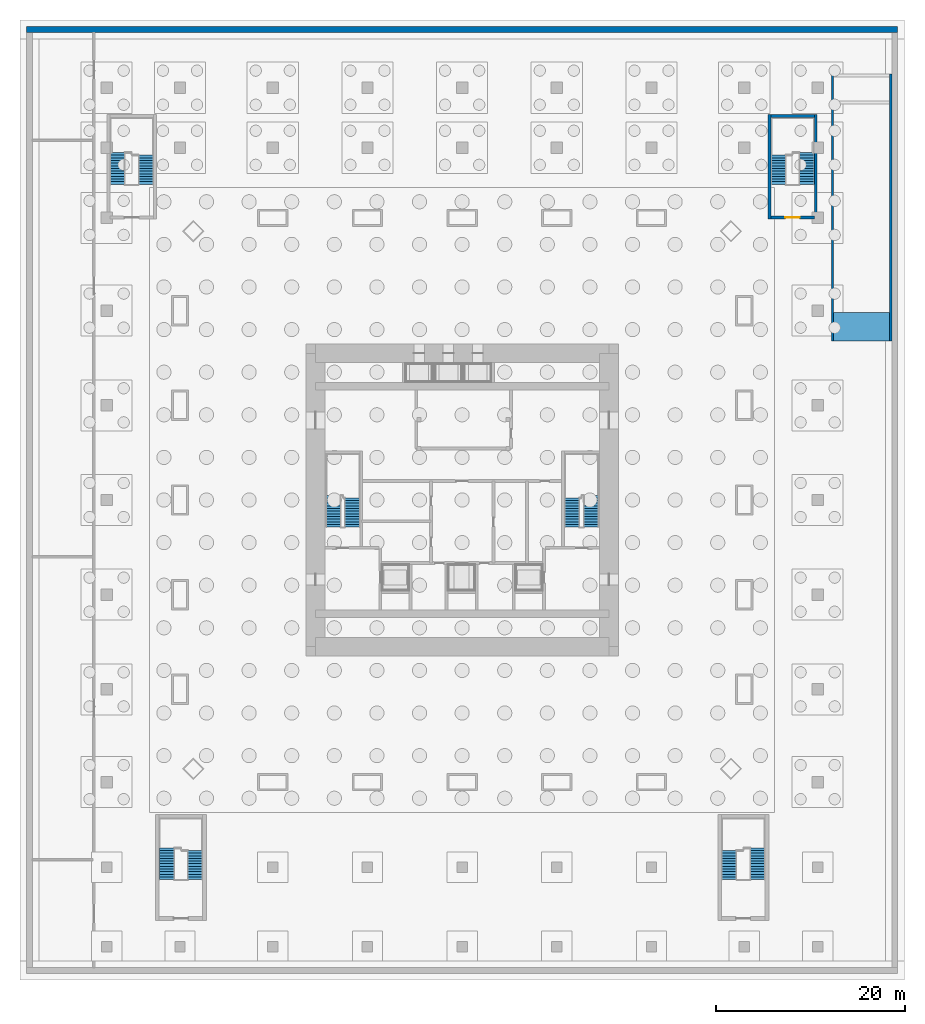
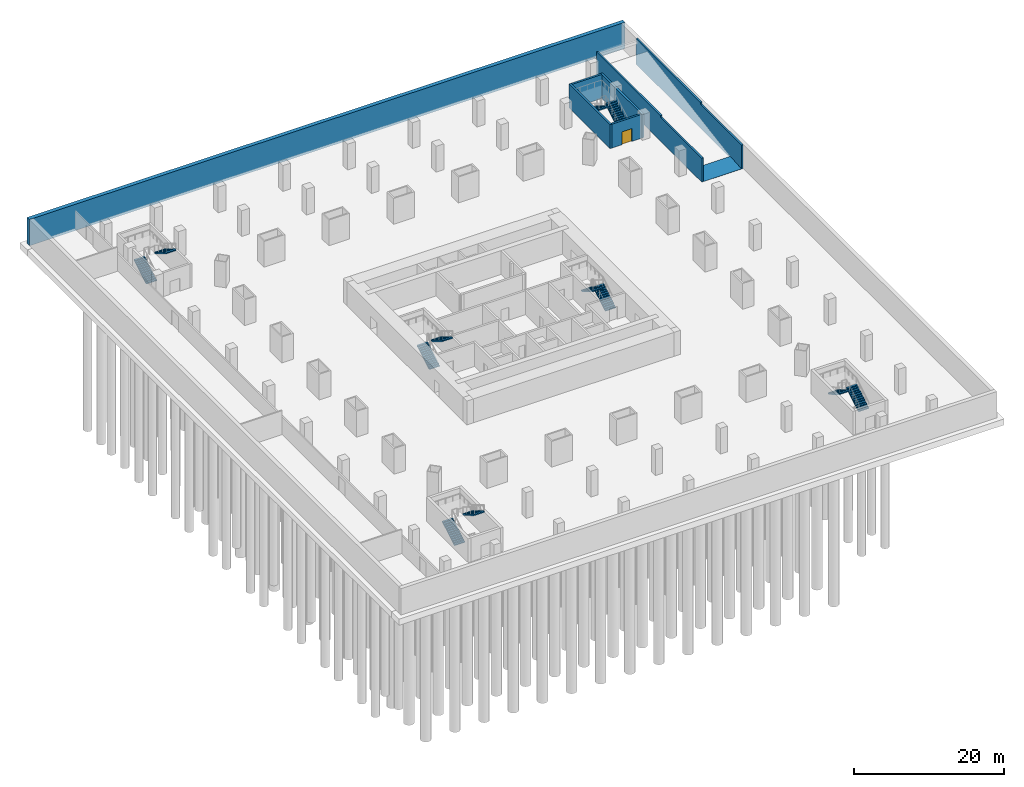
# One storey, part 8 of 11: 12 stair flights, 7 walls, 1 door, 1 ramp flight, 1 opening, 7 elements without a shape of their own.
"""IFC4 building model written with IfcOpenShell, lengths in metres."""

from ifc_helpers import new_model, si_unit, direction, frame, frame_2d, origin, place, context, subcontext, project, spatial, polyline, rectangle, outline, extrude, material, layer, layer_set, type_object, element, fill, aggregate, save


model = new_model("IFC4")

# Units and contexts
model_context = context("Model", 3, precision=1e-05, world=origin(), true_north=direction((0.0, 1.0)))
body_context = subcontext(model_context, "Body", "Model", "MODEL_VIEW")
ifc_project = project(units=[si_unit("LENGTHUNIT", "METRE"), si_unit("AREAUNIT", "SQUARE_METRE"), si_unit("VOLUMEUNIT", "CUBIC_METRE"), si_unit("PLANEANGLEUNIT", "RADIAN"), si_unit("MASSUNIT", "GRAM", prefix="KILO")], contexts=[model_context])

# Site, building, storey
site_placement = place(None, origin())
site = spatial("IfcSite", under=ifc_project, at=site_placement, CompositionType="ELEMENT")
building_placement = place(site_placement, origin())
building = spatial("IfcBuilding", under=site, at=building_placement, Name="Khuree Lantern Residences", CompositionType="ELEMENT")
storey_placement = place(building_placement, frame((0.0, 0.0, -13.199951171875)))
storey = spatial("IfcBuildingStorey", under=building, at=storey_placement, Name="B3", CompositionType="ELEMENT", Elevation=-13.199951171875)

# Walls
ifc_material_1 = material(Name="Concrete C40/50", Category="concrete")
ifc_layer_1 = layer(ifc_material_1, 0.25)
ifc_layer_set_1 = layer_set([ifc_layer_1], Name="RAMP WALL RA 250")
wall_type_1 = type_object("IfcWallType", Name="RAMP WALL RA 250", PredefinedType="SOLIDWALL", material=ifc_layer_set_1)
for number, where, z_axis, x_axis, name in (
    (1, (39.125, 16.800048828125, 0.0), (0.0, 0.0, 1.0), (0.0, 1.0, 0.0), "Car park ramp, B2 to B3 side wall"),
    (2, (45.27490234375, 16.800048828125, 0.0), (0.0, 0.0, 1.0), (0.0, 1.0, 0.0), "Car park ramp, B2 to B3 side wall"),
):
    element("IfcWall", number, at=place(storey_placement, frame(where, z_axis=z_axis, x_axis=x_axis)), inside=storey, type_object=wall_type_1, Name=name, PredefinedType="SOLIDWALL", context=body_context, shape_type="SweptSolid", body=[
        extrude(outline(polyline([(0.0, 0.0), (28.199951171875, 0.0), (28.199951171875, 4.199951171875), (11.0, 4.199951171875), (11.0, 3.89990234375), (0.0, 3.89990234375), (0.0, 0.0)])), frame((0.0, 0.125, 0.0), z_axis=(0.0, -1.0, 0.0), x_axis=(1.0, 0.0, 0.0)), (0.0, 0.0, 1.0), 0.25),
    ])
ifc_layer_2 = layer(ifc_material_1, 0.60009765625)
ifc_layer_set_2 = layer_set([ifc_layer_2], Name="RW1 BASEMENT RETAINING WALL 600")
wall_type_2 = type_object("IfcWallType", Name="RW1 BASEMENT RETAINING WALL 600", PredefinedType="SOLIDWALL", material=ifc_layer_set_2)
wall_1_placement = place(storey_placement, frame((-46.0, 49.699951171875, -0.400146484375), z_axis=(0.0, 0.0, 1.0), x_axis=(1.0, 0.0, 0.0)))
element("IfcWall", 3, at=wall_1_placement, inside=storey, type_object=wall_type_2, Name="Retaining wall N", PredefinedType="SOLIDWALL", context=body_context, shape_type="SweptSolid", body=[
    extrude(rectangle(XDim=92.0, YDim=0.60009765625, at=frame_2d((46.0, 0.0))), origin(), (0.0, 0.0, 1.0), 4.300048828125),
])
ifc_material_2 = material(Name="Concrete C50/60", Category="concrete")
ifc_layer_3 = layer(ifc_material_2, 0.300048828125)
ifc_layer_set_3 = layer_set([ifc_layer_3], Name="STAIR WALL SRW300 C50/60 REI 240")
wall_type_3 = type_object("IfcWallType", Name="STAIR WALL SRW300 C50/60 REI 240", PredefinedType="SOLIDWALL", material=ifc_layer_set_3)
wall_2_placement = place(storey_placement, frame((37.35009765625, 29.699951171875, 0.0), z_axis=(0.0, 0.0, 1.0), x_axis=(0.0, 1.0, 0.0)))
element("IfcWall", 4, at=wall_2_placement, inside=storey, type_object=wall_type_3, Name="B3 STAIR ST4 WALL O", PredefinedType="SOLIDWALL", context=body_context, shape_type="SweptSolid", body=[
    extrude(rectangle(XDim=11.0, YDim=0.300048828125, at=frame_2d((5.5, 0.0))), origin(), (0.0, 0.0, 1.0), 3.89990234375),
])

# Wall, opening, door
wall_3_placement = place(storey_placement, frame((37.199951171875, 29.85009765625, 0.0), z_axis=(0.0, 0.0, 1.0), x_axis=(-1.0, 0.0, 0.0)))
wall_3 = element("IfcWall", 5, at=wall_3_placement, inside=storey, type_object=wall_type_3, Name="B3 STAIR ST4 WALL S", PredefinedType="SOLIDWALL", context=body_context, shape_type="SweptSolid", body=[
    extrude(rectangle(XDim=4.599853515625, YDim=0.300048828125, at=frame_2d((2.2998046875, 0.0))), origin(), (0.0, 0.0, 1.0), 3.89990234375),
])
opening_placement = place(wall_3_placement, frame((1.550048828125, 0.0, 0.0)))
opening = element("IfcOpeningElement", 6, at=opening_placement, cuts=wall_3, Name="Opening B3-024", PredefinedType="OPENING", context=body_context, shape_type="SweptSolid", body=[
    extrude(rectangle(XDim=1.5, YDim=2.10009765625, at=frame_2d((0.75, 1.050048828125))), frame((0.0, 0.16015625, 0.0), z_axis=(0.0, -1.0, 0.0), x_axis=(1.0, 0.0, 0.0)), (0.0, 0.0, 1.0), 0.320068359375),
])
ifc_material_3 = material(Name="Steel door leaf in steel frame", Category="steel")
door_type = type_object("IfcDoorType", Name="STAIR DOOR 1500X2100 EI 120", OperationType="DOUBLE_DOOR_SINGLE_SWING", PredefinedType="DOOR", material=ifc_material_3)
door_placement = place(opening_placement, origin())
door = element("IfcDoor", 7, at=door_placement, inside=storey, type_object=door_type, Name="Stair ST4 door B3-024", OperationType="DOUBLE_DOOR_SINGLE_SWING", OverallHeight=2.10009765625, OverallWidth=1.5, PredefinedType="DOOR", context=body_context, shape_type="SweptSolid", body=[
    extrude(rectangle(XDim=1.5, YDim=2.10009765625, at=frame_2d((0.75, 1.050048828125))), frame((0.0, 0.02490234375, 0.0), z_axis=(0.0, -1.0, 0.0), x_axis=(1.0, 0.0, 0.0)), (0.0, 0.0, 1.0), 0.050048828125),
])
fill(opening, door)

# Walls
wall_4_placement = place(storey_placement, frame((32.449951171875, 29.699951171875, 0.0), z_axis=(0.0, 0.0, 1.0), x_axis=(0.0, 1.0, 0.0)))
element("IfcWall", 8, at=wall_4_placement, inside=storey, type_object=wall_type_3, Name="B3 STAIR ST4 WALL I", PredefinedType="SOLIDWALL", context=body_context, shape_type="SweptSolid", body=[
    extrude(rectangle(XDim=11.0, YDim=0.300048828125, at=frame_2d((5.5, 0.0))), origin(), (0.0, 0.0, 1.0), 3.89990234375),
])
wall_5_placement = place(storey_placement, frame((37.199951171875, 40.550048828125, 0.0), z_axis=(0.0, 0.0, 1.0), x_axis=(-1.0, 0.0, 0.0)))
element("IfcWall", 9, at=wall_5_placement, inside=storey, type_object=wall_type_3, Name="B3 STAIR ST4 WALL N", PredefinedType="SOLIDWALL", context=body_context, shape_type="SweptSolid", body=[
    extrude(rectangle(XDim=4.599853515625, YDim=0.300048828125, at=frame_2d((2.2998046875, 0.0))), origin(), (0.0, 0.0, 1.0), 3.89990234375),
])

# Stair, stair flights
stair_type_1 = type_object("IfcStairType", Name="STAIR ST1 HALF TURN 3600", PredefinedType="HALF_TURN_STAIR", material=ifc_material_1)
stair_1_placement = place(storey_placement, origin())
stair_1 = element("IfcStair", 10, at=stair_1_placement, inside=storey, type_object=stair_type_1, Name="Stair ST1", PredefinedType="HALF_TURN_STAIR")
stair_flight_type = type_object("IfcStairFlightType", Name="STAIR FLIGHT SF1 1600", PredefinedType="STRAIGHT", material=ifc_material_1)
stair_flight_1_placement = place(storey_placement, frame((-13.60009765625, -2.860107421875, 0.0), z_axis=(0.0, 0.0, 1.0), x_axis=(0.0, 1.0, 0.0)))
stair_flight_1 = element("IfcStairFlight", 11, at=stair_flight_1_placement, type_object=stair_flight_type, Name="ST1 flight 1", NumberOfRisers=13, NumberOfTreads=12, PredefinedType="STRAIGHT", RiserHeight=0.168, TreadLength=0.28, context=body_context, shape_type="SweptSolid", body=[
    extrude(outline(polyline([(0.0, 0.0), (0.0, 0.16796875), (0.280029296875, 0.16796875), (0.280029296875, 0.3359375), (0.56005859375, 0.3359375), (0.56005859375, 0.50390625), (0.840087890625, 0.50390625), (0.840087890625, 0.672119140625), (1.1201171875, 0.672119140625), (1.1201171875, 0.840087890625), (1.39990234375, 0.840087890625), (1.39990234375, 1.008056640625), (1.679931640625, 1.008056640625), (1.679931640625, 1.176025390625), (1.9599609375, 1.176025390625), (1.9599609375, 1.343994140625), (2.239990234375, 1.343994140625), (2.239990234375, 1.511962890625), (2.52001953125, 1.511962890625), (2.52001953125, 1.679931640625), (2.800048828125, 1.679931640625), (2.800048828125, 1.847900390625), (3.080078125, 1.847900390625), (3.080078125, 2.01611328125), (3.360107421875, 2.01611328125), (3.360107421875, 2.18408203125), (3.360107421875, 1.841064453125), (0.291259765625, 0.0), (0.0, 0.0)])), frame((0.0, 0.800048828125, 0.0), z_axis=(0.0, -1.0, 0.0), x_axis=(1.0, 0.0, 0.0)), (0.0, 0.0, 1.0), 1.60009765625),
])
stair_flight_2_placement = place(storey_placement, frame((-11.60009765625, 0.219970703125, 2.183837890625), z_axis=(0.0, 0.0, 1.0), x_axis=(0.0, -1.0, 0.0)))
stair_flight_2 = element("IfcStairFlight", 12, at=stair_flight_2_placement, type_object=stair_flight_type, Name="ST1 flight 2", NumberOfRisers=12, NumberOfTreads=11, PredefinedType="STRAIGHT", RiserHeight=0.168, TreadLength=0.28, context=body_context, shape_type="SweptSolid", body=[
    extrude(outline(polyline([(0.0, 0.0), (0.0, 0.16796875), (0.280029296875, 0.16796875), (0.280029296875, 0.3359375), (0.56005859375, 0.3359375), (0.56005859375, 0.50390625), (0.840087890625, 0.50390625), (0.840087890625, 0.672119140625), (1.1201171875, 0.672119140625), (1.1201171875, 0.840087890625), (1.39990234375, 0.840087890625), (1.39990234375, 1.008056640625), (1.679931640625, 1.008056640625), (1.679931640625, 1.176025390625), (1.9599609375, 1.176025390625), (1.9599609375, 1.343994140625), (2.239990234375, 1.343994140625), (2.239990234375, 1.511962890625), (2.52001953125, 1.511962890625), (2.52001953125, 1.679931640625), (2.800048828125, 1.679931640625), (2.800048828125, 1.847900390625), (3.080078125, 1.847900390625), (3.080078125, 2.01611328125), (3.080078125, 1.673095703125), (0.291259765625, 0.0), (0.0, 0.0)])), frame((0.0, 0.800048828125, 0.0), z_axis=(0.0, -1.0, 0.0), x_axis=(1.0, 0.0, 0.0)), (0.0, 0.0, 1.0), 1.60009765625),
])
aggregate(stair_1, [stair_flight_1, stair_flight_2])

stair_2_placement = place(storey_placement, origin())
stair_2 = element("IfcStair", 13, at=stair_2_placement, inside=storey, type_object=stair_type_1, Name="Stair ST2", PredefinedType="HALF_TURN_STAIR")
stair_flight_3_placement = place(storey_placement, frame((13.60009765625, -2.860107421875, 0.0), z_axis=(0.0, 0.0, 1.0), x_axis=(0.0, 1.0, 0.0)))
stair_flight_3 = element("IfcStairFlight", 14, at=stair_flight_3_placement, type_object=stair_flight_type, Name="ST2 flight 1", NumberOfRisers=13, NumberOfTreads=12, PredefinedType="STRAIGHT", RiserHeight=0.168, TreadLength=0.28, context=body_context, shape_type="SweptSolid", body=[
    extrude(outline(polyline([(0.0, 0.0), (0.0, 0.16796875), (0.280029296875, 0.16796875), (0.280029296875, 0.3359375), (0.56005859375, 0.3359375), (0.56005859375, 0.50390625), (0.840087890625, 0.50390625), (0.840087890625, 0.672119140625), (1.1201171875, 0.672119140625), (1.1201171875, 0.840087890625), (1.39990234375, 0.840087890625), (1.39990234375, 1.008056640625), (1.679931640625, 1.008056640625), (1.679931640625, 1.176025390625), (1.9599609375, 1.176025390625), (1.9599609375, 1.343994140625), (2.239990234375, 1.343994140625), (2.239990234375, 1.511962890625), (2.52001953125, 1.511962890625), (2.52001953125, 1.679931640625), (2.800048828125, 1.679931640625), (2.800048828125, 1.847900390625), (3.080078125, 1.847900390625), (3.080078125, 2.01611328125), (3.360107421875, 2.01611328125), (3.360107421875, 2.18408203125), (3.360107421875, 1.841064453125), (0.291259765625, 0.0), (0.0, 0.0)])), frame((0.0, 0.800048828125, 0.0), z_axis=(0.0, -1.0, 0.0), x_axis=(1.0, 0.0, 0.0)), (0.0, 0.0, 1.0), 1.60009765625),
])
stair_flight_4_placement = place(storey_placement, frame((11.60009765625, 0.219970703125, 2.183837890625), z_axis=(0.0, 0.0, 1.0), x_axis=(0.0, -1.0, 0.0)))
stair_flight_4 = element("IfcStairFlight", 15, at=stair_flight_4_placement, type_object=stair_flight_type, Name="ST2 flight 2", NumberOfRisers=12, NumberOfTreads=11, PredefinedType="STRAIGHT", RiserHeight=0.168, TreadLength=0.28, context=body_context, shape_type="SweptSolid", body=[
    extrude(outline(polyline([(0.0, 0.0), (0.0, 0.16796875), (0.280029296875, 0.16796875), (0.280029296875, 0.3359375), (0.56005859375, 0.3359375), (0.56005859375, 0.50390625), (0.840087890625, 0.50390625), (0.840087890625, 0.672119140625), (1.1201171875, 0.672119140625), (1.1201171875, 0.840087890625), (1.39990234375, 0.840087890625), (1.39990234375, 1.008056640625), (1.679931640625, 1.008056640625), (1.679931640625, 1.176025390625), (1.9599609375, 1.176025390625), (1.9599609375, 1.343994140625), (2.239990234375, 1.343994140625), (2.239990234375, 1.511962890625), (2.52001953125, 1.511962890625), (2.52001953125, 1.679931640625), (2.800048828125, 1.679931640625), (2.800048828125, 1.847900390625), (3.080078125, 1.847900390625), (3.080078125, 2.01611328125), (3.080078125, 1.673095703125), (0.291259765625, 0.0), (0.0, 0.0)])), frame((0.0, 0.800048828125, 0.0), z_axis=(0.0, -1.0, 0.0), x_axis=(1.0, 0.0, 0.0)), (0.0, 0.0, 1.0), 1.60009765625),
])
aggregate(stair_2, [stair_flight_3, stair_flight_4])

stair_type_2 = type_object("IfcStairType", Name="STAIR ST3 HALF TURN 4600", PredefinedType="HALF_TURN_STAIR", material=ifc_material_1)
stair_3_placement = place(storey_placement, origin())
stair_3 = element("IfcStair", 16, at=stair_3_placement, inside=storey, type_object=stair_type_2, Name="Stair ST5", PredefinedType="HALF_TURN_STAIR")
stair_flight_5_placement = place(storey_placement, frame((-31.199951171875, -40.10009765625, 0.0), z_axis=(0.0, 0.0, 1.0), x_axis=(0.0, 1.0, 0.0)))
stair_flight_5 = element("IfcStairFlight", 17, at=stair_flight_5_placement, type_object=stair_flight_type, Name="ST5 flight 1", NumberOfRisers=13, NumberOfTreads=12, PredefinedType="STRAIGHT", RiserHeight=0.168, TreadLength=0.28, context=body_context, shape_type="SweptSolid", body=[
    extrude(outline(polyline([(0.0, 0.0), (0.0, 0.16796875), (0.280029296875, 0.16796875), (0.280029296875, 0.3359375), (0.56005859375, 0.3359375), (0.56005859375, 0.50390625), (0.840087890625, 0.50390625), (0.840087890625, 0.672119140625), (1.1201171875, 0.672119140625), (1.1201171875, 0.840087890625), (1.39990234375, 0.840087890625), (1.39990234375, 1.008056640625), (1.679931640625, 1.008056640625), (1.679931640625, 1.176025390625), (1.9599609375, 1.176025390625), (1.9599609375, 1.343994140625), (2.239990234375, 1.343994140625), (2.239990234375, 1.511962890625), (2.52001953125, 1.511962890625), (2.52001953125, 1.679931640625), (2.800048828125, 1.679931640625), (2.800048828125, 1.847900390625), (3.080078125, 1.847900390625), (3.080078125, 2.01611328125), (3.360107421875, 2.01611328125), (3.360107421875, 2.18408203125), (3.360107421875, 1.841064453125), (0.291259765625, 0.0), (0.0, 0.0)])), frame((0.0, 0.800048828125, 0.0), z_axis=(0.0, -1.0, 0.0), x_axis=(1.0, 0.0, 0.0)), (0.0, 0.0, 1.0), 1.60009765625),
])
stair_flight_6_placement = place(storey_placement, frame((-28.199951171875, -37.02001953125, 2.183837890625), z_axis=(0.0, 0.0, 1.0), x_axis=(0.0, -1.0, 0.0)))
stair_flight_6 = element("IfcStairFlight", 18, at=stair_flight_6_placement, type_object=stair_flight_type, Name="ST5 flight 2", NumberOfRisers=12, NumberOfTreads=11, PredefinedType="STRAIGHT", RiserHeight=0.168, TreadLength=0.28, context=body_context, shape_type="SweptSolid", body=[
    extrude(outline(polyline([(0.0, 0.0), (0.0, 0.16796875), (0.280029296875, 0.16796875), (0.280029296875, 0.3359375), (0.56005859375, 0.3359375), (0.56005859375, 0.50390625), (0.840087890625, 0.50390625), (0.840087890625, 0.672119140625), (1.1201171875, 0.672119140625), (1.1201171875, 0.840087890625), (1.39990234375, 0.840087890625), (1.39990234375, 1.008056640625), (1.679931640625, 1.008056640625), (1.679931640625, 1.176025390625), (1.9599609375, 1.176025390625), (1.9599609375, 1.343994140625), (2.239990234375, 1.343994140625), (2.239990234375, 1.511962890625), (2.52001953125, 1.511962890625), (2.52001953125, 1.679931640625), (2.800048828125, 1.679931640625), (2.800048828125, 1.847900390625), (3.080078125, 1.847900390625), (3.080078125, 2.01611328125), (3.080078125, 1.673095703125), (0.291259765625, 0.0), (0.0, 0.0)])), frame((0.0, 0.800048828125, 0.0), z_axis=(0.0, -1.0, 0.0), x_axis=(1.0, 0.0, 0.0)), (0.0, 0.0, 1.0), 1.60009765625),
])
aggregate(stair_3, [stair_flight_5, stair_flight_6])

stair_4_placement = place(storey_placement, origin())
stair_4 = element("IfcStair", 19, at=stair_4_placement, inside=storey, type_object=stair_type_2, Name="Stair ST6", PredefinedType="HALF_TURN_STAIR")
stair_flight_7_placement = place(storey_placement, frame((31.199951171875, -40.10009765625, 0.0), z_axis=(0.0, 0.0, 1.0), x_axis=(0.0, 1.0, 0.0)))
stair_flight_7 = element("IfcStairFlight", 20, at=stair_flight_7_placement, type_object=stair_flight_type, Name="ST6 flight 1", NumberOfRisers=13, NumberOfTreads=12, PredefinedType="STRAIGHT", RiserHeight=0.168, TreadLength=0.28, context=body_context, shape_type="SweptSolid", body=[
    extrude(outline(polyline([(0.0, 0.0), (0.0, 0.16796875), (0.280029296875, 0.16796875), (0.280029296875, 0.3359375), (0.56005859375, 0.3359375), (0.56005859375, 0.50390625), (0.840087890625, 0.50390625), (0.840087890625, 0.672119140625), (1.1201171875, 0.672119140625), (1.1201171875, 0.840087890625), (1.39990234375, 0.840087890625), (1.39990234375, 1.008056640625), (1.679931640625, 1.008056640625), (1.679931640625, 1.176025390625), (1.9599609375, 1.176025390625), (1.9599609375, 1.343994140625), (2.239990234375, 1.343994140625), (2.239990234375, 1.511962890625), (2.52001953125, 1.511962890625), (2.52001953125, 1.679931640625), (2.800048828125, 1.679931640625), (2.800048828125, 1.847900390625), (3.080078125, 1.847900390625), (3.080078125, 2.01611328125), (3.360107421875, 2.01611328125), (3.360107421875, 2.18408203125), (3.360107421875, 1.841064453125), (0.291259765625, 0.0), (0.0, 0.0)])), frame((0.0, 0.800048828125, 0.0), z_axis=(0.0, -1.0, 0.0), x_axis=(1.0, 0.0, 0.0)), (0.0, 0.0, 1.0), 1.60009765625),
])
stair_flight_8_placement = place(storey_placement, frame((28.199951171875, -37.02001953125, 2.183837890625), z_axis=(0.0, 0.0, 1.0), x_axis=(0.0, -1.0, 0.0)))
stair_flight_8 = element("IfcStairFlight", 21, at=stair_flight_8_placement, type_object=stair_flight_type, Name="ST6 flight 2", NumberOfRisers=12, NumberOfTreads=11, PredefinedType="STRAIGHT", RiserHeight=0.168, TreadLength=0.28, context=body_context, shape_type="SweptSolid", body=[
    extrude(outline(polyline([(0.0, 0.0), (0.0, 0.16796875), (0.280029296875, 0.16796875), (0.280029296875, 0.3359375), (0.56005859375, 0.3359375), (0.56005859375, 0.50390625), (0.840087890625, 0.50390625), (0.840087890625, 0.672119140625), (1.1201171875, 0.672119140625), (1.1201171875, 0.840087890625), (1.39990234375, 0.840087890625), (1.39990234375, 1.008056640625), (1.679931640625, 1.008056640625), (1.679931640625, 1.176025390625), (1.9599609375, 1.176025390625), (1.9599609375, 1.343994140625), (2.239990234375, 1.343994140625), (2.239990234375, 1.511962890625), (2.52001953125, 1.511962890625), (2.52001953125, 1.679931640625), (2.800048828125, 1.679931640625), (2.800048828125, 1.847900390625), (3.080078125, 1.847900390625), (3.080078125, 2.01611328125), (3.080078125, 1.673095703125), (0.291259765625, 0.0), (0.0, 0.0)])), frame((0.0, 0.800048828125, 0.0), z_axis=(0.0, -1.0, 0.0), x_axis=(1.0, 0.0, 0.0)), (0.0, 0.0, 1.0), 1.60009765625),
])
aggregate(stair_4, [stair_flight_7, stair_flight_8])

stair_5_placement = place(storey_placement, origin())
stair_5 = element("IfcStair", 22, at=stair_5_placement, inside=storey, type_object=stair_type_2, Name="Stair ST3", PredefinedType="HALF_TURN_STAIR")
stair_flight_9_placement = place(storey_placement, frame((-36.39990234375, 33.340087890625, 0.0), z_axis=(0.0, 0.0, 1.0), x_axis=(0.0, 1.0, 0.0)))
stair_flight_9 = element("IfcStairFlight", 23, at=stair_flight_9_placement, type_object=stair_flight_type, Name="ST3 flight 1", NumberOfRisers=13, NumberOfTreads=12, PredefinedType="STRAIGHT", RiserHeight=0.168, TreadLength=0.28, context=body_context, shape_type="SweptSolid", body=[
    extrude(outline(polyline([(0.0, 0.0), (0.0, 0.16796875), (0.280029296875, 0.16796875), (0.280029296875, 0.3359375), (0.56005859375, 0.3359375), (0.56005859375, 0.50390625), (0.840087890625, 0.50390625), (0.840087890625, 0.672119140625), (1.1201171875, 0.672119140625), (1.1201171875, 0.840087890625), (1.39990234375, 0.840087890625), (1.39990234375, 1.008056640625), (1.679931640625, 1.008056640625), (1.679931640625, 1.176025390625), (1.9599609375, 1.176025390625), (1.9599609375, 1.343994140625), (2.239990234375, 1.343994140625), (2.239990234375, 1.511962890625), (2.52001953125, 1.511962890625), (2.52001953125, 1.679931640625), (2.800048828125, 1.679931640625), (2.800048828125, 1.847900390625), (3.080078125, 1.847900390625), (3.080078125, 2.01611328125), (3.360107421875, 2.01611328125), (3.360107421875, 2.18408203125), (3.360107421875, 1.841064453125), (0.291259765625, 0.0), (0.0, 0.0)])), frame((0.0, 0.800048828125, 0.0), z_axis=(0.0, -1.0, 0.0), x_axis=(1.0, 0.0, 0.0)), (0.0, 0.0, 1.0), 1.60009765625),
])
stair_flight_10_placement = place(storey_placement, frame((-33.39990234375, 36.419921875, 2.183837890625), z_axis=(0.0, 0.0, 1.0), x_axis=(0.0, -1.0, 0.0)))
stair_flight_10 = element("IfcStairFlight", 24, at=stair_flight_10_placement, type_object=stair_flight_type, Name="ST3 flight 2", NumberOfRisers=12, NumberOfTreads=11, PredefinedType="STRAIGHT", RiserHeight=0.168, TreadLength=0.28, context=body_context, shape_type="SweptSolid", body=[
    extrude(outline(polyline([(0.0, 0.0), (0.0, 0.16796875), (0.280029296875, 0.16796875), (0.280029296875, 0.3359375), (0.56005859375, 0.3359375), (0.56005859375, 0.50390625), (0.840087890625, 0.50390625), (0.840087890625, 0.672119140625), (1.1201171875, 0.672119140625), (1.1201171875, 0.840087890625), (1.39990234375, 0.840087890625), (1.39990234375, 1.008056640625), (1.679931640625, 1.008056640625), (1.679931640625, 1.176025390625), (1.9599609375, 1.176025390625), (1.9599609375, 1.343994140625), (2.239990234375, 1.343994140625), (2.239990234375, 1.511962890625), (2.52001953125, 1.511962890625), (2.52001953125, 1.679931640625), (2.800048828125, 1.679931640625), (2.800048828125, 1.847900390625), (3.080078125, 1.847900390625), (3.080078125, 2.01611328125), (3.080078125, 1.673095703125), (0.291259765625, 0.0), (0.0, 0.0)])), frame((0.0, 0.800048828125, 0.0), z_axis=(0.0, -1.0, 0.0), x_axis=(1.0, 0.0, 0.0)), (0.0, 0.0, 1.0), 1.60009765625),
])
aggregate(stair_5, [stair_flight_9, stair_flight_10])

stair_6_placement = place(storey_placement, origin())
stair_6 = element("IfcStair", 25, at=stair_6_placement, inside=storey, type_object=stair_type_2, Name="Stair ST4", PredefinedType="HALF_TURN_STAIR")
stair_flight_11_placement = place(storey_placement, frame((36.39990234375, 33.340087890625, 0.0), z_axis=(0.0, 0.0, 1.0), x_axis=(0.0, 1.0, 0.0)))
stair_flight_11 = element("IfcStairFlight", 26, at=stair_flight_11_placement, type_object=stair_flight_type, Name="ST4 flight 1", NumberOfRisers=13, NumberOfTreads=12, PredefinedType="STRAIGHT", RiserHeight=0.168, TreadLength=0.28, context=body_context, shape_type="SweptSolid", body=[
    extrude(outline(polyline([(0.0, 0.0), (0.0, 0.16796875), (0.280029296875, 0.16796875), (0.280029296875, 0.3359375), (0.56005859375, 0.3359375), (0.56005859375, 0.50390625), (0.840087890625, 0.50390625), (0.840087890625, 0.672119140625), (1.1201171875, 0.672119140625), (1.1201171875, 0.840087890625), (1.39990234375, 0.840087890625), (1.39990234375, 1.008056640625), (1.679931640625, 1.008056640625), (1.679931640625, 1.176025390625), (1.9599609375, 1.176025390625), (1.9599609375, 1.343994140625), (2.239990234375, 1.343994140625), (2.239990234375, 1.511962890625), (2.52001953125, 1.511962890625), (2.52001953125, 1.679931640625), (2.800048828125, 1.679931640625), (2.800048828125, 1.847900390625), (3.080078125, 1.847900390625), (3.080078125, 2.01611328125), (3.360107421875, 2.01611328125), (3.360107421875, 2.18408203125), (3.360107421875, 1.841064453125), (0.291259765625, 0.0), (0.0, 0.0)])), frame((0.0, 0.800048828125, 0.0), z_axis=(0.0, -1.0, 0.0), x_axis=(1.0, 0.0, 0.0)), (0.0, 0.0, 1.0), 1.60009765625),
])
stair_flight_12_placement = place(storey_placement, frame((33.39990234375, 36.419921875, 2.183837890625), z_axis=(0.0, 0.0, 1.0), x_axis=(0.0, -1.0, 0.0)))
stair_flight_12 = element("IfcStairFlight", 27, at=stair_flight_12_placement, type_object=stair_flight_type, Name="ST4 flight 2", NumberOfRisers=12, NumberOfTreads=11, PredefinedType="STRAIGHT", RiserHeight=0.168, TreadLength=0.28, context=body_context, shape_type="SweptSolid", body=[
    extrude(outline(polyline([(0.0, 0.0), (0.0, 0.16796875), (0.280029296875, 0.16796875), (0.280029296875, 0.3359375), (0.56005859375, 0.3359375), (0.56005859375, 0.50390625), (0.840087890625, 0.50390625), (0.840087890625, 0.672119140625), (1.1201171875, 0.672119140625), (1.1201171875, 0.840087890625), (1.39990234375, 0.840087890625), (1.39990234375, 1.008056640625), (1.679931640625, 1.008056640625), (1.679931640625, 1.176025390625), (1.9599609375, 1.176025390625), (1.9599609375, 1.343994140625), (2.239990234375, 1.343994140625), (2.239990234375, 1.511962890625), (2.52001953125, 1.511962890625), (2.52001953125, 1.679931640625), (2.800048828125, 1.679931640625), (2.800048828125, 1.847900390625), (3.080078125, 1.847900390625), (3.080078125, 2.01611328125), (3.080078125, 1.673095703125), (0.291259765625, 0.0), (0.0, 0.0)])), frame((0.0, 0.800048828125, 0.0), z_axis=(0.0, -1.0, 0.0), x_axis=(1.0, 0.0, 0.0)), (0.0, 0.0, 1.0), 1.60009765625),
])
aggregate(stair_6, [stair_flight_11, stair_flight_12])

# Ramp, ramp flight
ramp_placement = place(storey_placement, origin())
ramp = element("IfcRamp", 28, at=ramp_placement, inside=storey, Name="Car park ramp, B2 to B3", PredefinedType="STRAIGHT_RUN_RAMP")
ramp_flight_placement = place(storey_placement, frame((42.199951171875, 19.800048828125, 0.0), z_axis=(0.0, 0.0, 1.0), x_axis=(0.0, -1.0, 0.0)))
ramp_flight = element("IfcRampFlight", 29, at=ramp_flight_placement, material=ifc_material_1, Name="Car park ramp, B2 to B3 flight 3", PredefinedType="STRAIGHT", context=body_context, shape_type="SweptSolid", body=[
    extrude(outline(polyline([(0.0, 0.0), (3.0, 0.0), (3.0, 0.010009765625), (0.0, 0.25), (0.0, 0.0)])), frame((0.0, 2.949951171875, 0.0), z_axis=(0.0, -1.0, 0.0), x_axis=(1.0, 0.0, 0.0)), (0.0, 0.0, 1.0), 5.89990234375),
])
aggregate(ramp, [ramp_flight])

save(model, "model.ifc")
